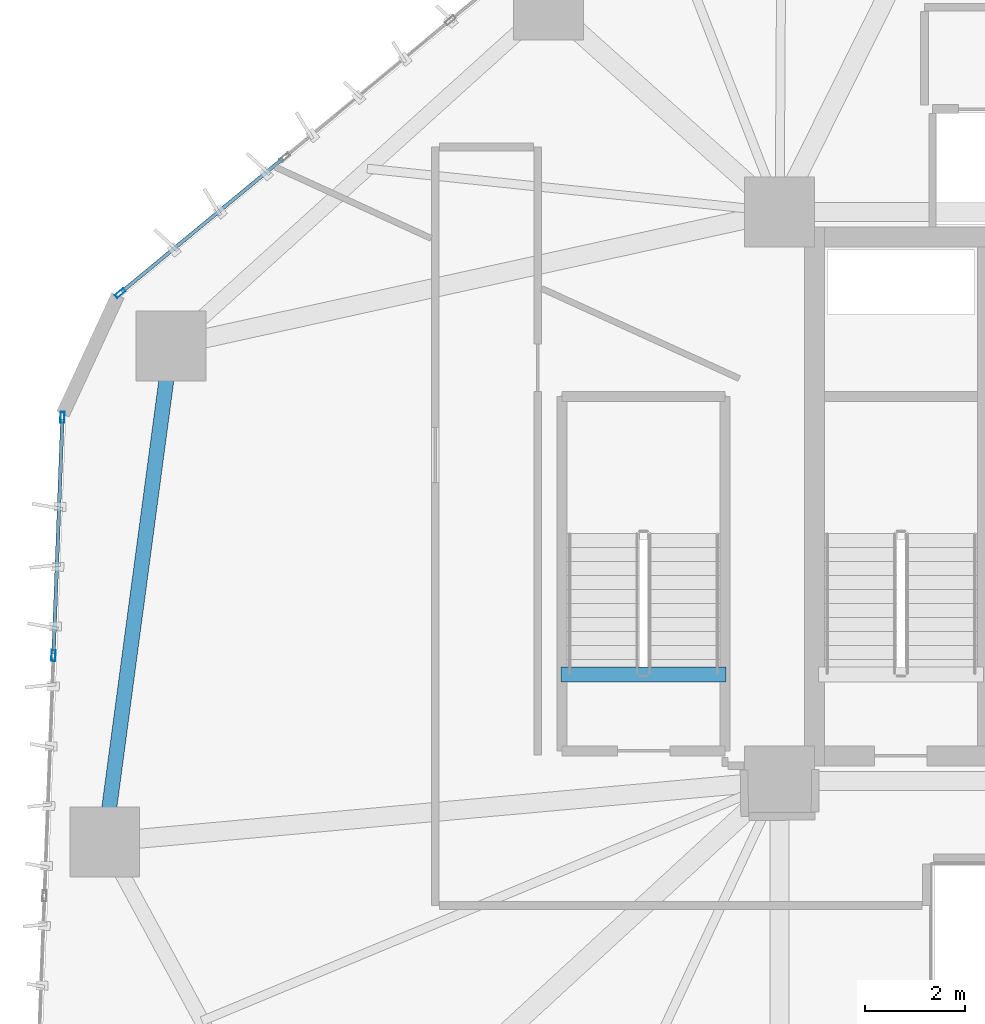
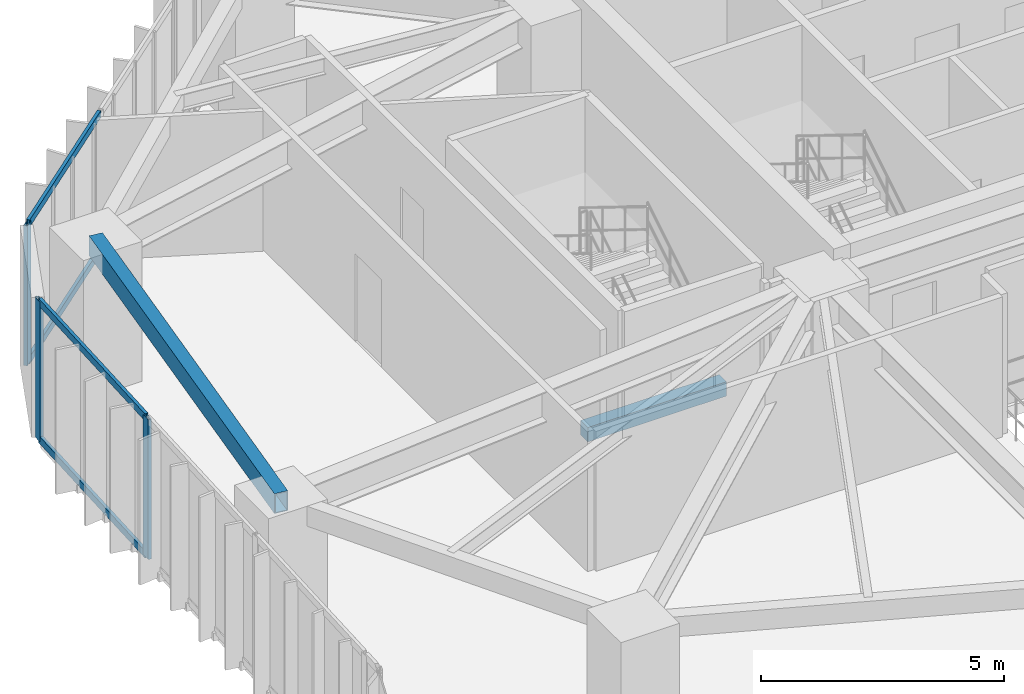
# One storey, part 7 of 23: 7 members, 2 beams, 2 elements without a shape of their own.
"""IFC4 building model written with IfcOpenShell, lengths in metres."""

import ifcopenshell
import ifcopenshell.guid

model = None  # the IFC model being written
_history = None  # IfcOwnerHistory: only IFC2X3 demands one
_inside = {}  # id of a spatial element -> (the spatial element, [elements in it])
_under = {}  # id of a project, library or spatial element -> (it, [spatial elements below it])
_declared = {}  # id of a project -> (the project, [libraries it declares])
_typed = {}  # id of a type object -> (the type object, [elements of that type])
_made_of = {}  # id of a material, layer set ... -> (it, [elements and type objects made of it])


def new_model(schema):
    """Start an empty IFC model of exactly this schema.

    Asked for "IFC4X3", IfcOpenShell would pick the latest addendum, in which some entities
    have other attributes; the version numbers below select the first issue.
    IFC2X3 requires an IfcOwnerHistory on every rooted entity: one is made here for all.
    """
    global model, _history
    if schema == "IFC4X3":
        model = ifcopenshell.file(schema_version=(4, 3, 0, 0))
    else:
        model = ifcopenshell.file(schema=schema)
    _inside.clear()
    _under.clear()
    _declared.clear()
    _typed.clear()
    _made_of.clear()
    _history = None
    if model.schema == "IFC2X3":
        org = make("IfcOrganization", Name="unknown")
        user = make(
            "IfcPersonAndOrganization",
            ThePerson=make("IfcPerson", FamilyName="unknown"),
            TheOrganization=org,
        )
        app = make(
            "IfcApplication",
            ApplicationDeveloper=org,
            Version="unknown",
            ApplicationFullName="unknown",
            ApplicationIdentifier="unknown",
        )
        _history = make(
            "IfcOwnerHistory",
            OwningUser=user,
            OwningApplication=app,
            ChangeAction="ADDED",
            CreationDate=0,
        )
    return model


def make(cls, **values):
    """One entity of the class cls with the attributes given. An attribute that is None is left unset."""
    return model.create_entity(
        cls, **{name: value for name, value in values.items() if value is not None}
    )


def rooted(cls, **values):
    """An entity with a GlobalId (a new one), such as an element, a storey or a relation."""
    return make(cls, GlobalId=ifcopenshell.guid.new(), OwnerHistory=_history, **values)


def si_unit(unit_type, name, prefix=None):
    """IfcSIUnit, for example si_unit("LENGTHUNIT", "METRE", prefix="MILLI")."""
    return make("IfcSIUnit", UnitType=unit_type, Prefix=prefix, Name=name)


def assignment(units):
    """IfcUnitAssignment: the units of a project."""
    return None if units is None else make("IfcUnitAssignment", Units=units)


def point(xyz):
    """IfcCartesianPoint."""
    return None if xyz is None else make("IfcCartesianPoint", Coordinates=xyz)


def direction(xyz):
    """IfcDirection."""
    return None if xyz is None else make("IfcDirection", DirectionRatios=xyz)


def frame(location, z_axis=None, x_axis=None):
    """IfcAxis2Placement3D, a coordinate frame: its origin and axes. An axis left out is left unset."""
    return make(
        "IfcAxis2Placement3D",
        Location=point(location),
        Axis=direction(z_axis),
        RefDirection=direction(x_axis),
    )


def frame_2d(location, x_axis=None):
    """IfcAxis2Placement2D, a coordinate frame in the plane: its origin and x axis."""
    return make(
        "IfcAxis2Placement2D", Location=point(location), RefDirection=direction(x_axis)
    )


def origin():
    """The frame at (0, 0, 0) with its axes left unset."""
    return frame((0.0, 0.0, 0.0))


def origin_2d():
    """The frame at (0, 0) in the plane with its x axis left unset."""
    return frame_2d((0.0, 0.0))


def place(relative_to, where):
    """IfcLocalPlacement: puts the frame where relative to a parent placement (None: the world)."""
    return make(
        "IfcLocalPlacement", PlacementRelTo=relative_to, RelativePlacement=where
    )


def context(
    kind, dimensions, precision=None, world=None, true_north=None, identifier=None
):
    """IfcGeometricRepresentationContext, for example the 3D "Model" context."""
    return make(
        "IfcGeometricRepresentationContext",
        ContextIdentifier=identifier,
        ContextType=kind,
        CoordinateSpaceDimension=dimensions,
        Precision=precision,
        WorldCoordinateSystem=world,
        TrueNorth=true_north,
    )


def subcontext(parent, identifier, kind, view, scale=None):
    """IfcGeometricRepresentationSubContext, for example "Body" below "Model"."""
    return make(
        "IfcGeometricRepresentationSubContext",
        ContextIdentifier=identifier,
        ContextType=kind,
        ParentContext=parent,
        TargetScale=scale,
        TargetView=view,
    )


def project(units=None, contexts=None):
    """IfcProject with its units and contexts."""
    return rooted(
        "IfcProject",
        Name="project",
        RepresentationContexts=contexts,
        UnitsInContext=assignment(units),
    )


def spatial(cls, under=None, at=None, **own):
    """A site, building, storey or space (cls), placed at a placement, below another one or the project."""
    s = rooted(cls, ObjectPlacement=at, **own)
    if under is not None:
        _under.setdefault(under.id(), (under, []))[1].append(s)
    return s


def profile(cls, at=None, kind="AREA", **sizes):
    """A parametric profile (cls). Its sizes go by their IFC names, for example OverallWidth=200.0."""
    return make(cls, ProfileType=kind, Position=at, **sizes)


def rectangle(**sizes):
    """IfcRectangleProfileDef."""
    return profile("IfcRectangleProfileDef", **sizes)


def hollow_rectangle(**sizes):
    """IfcRectangleHollowProfileDef."""
    return profile("IfcRectangleHollowProfileDef", **sizes)


def extrude(swept, where, along, depth):
    """IfcExtrudedAreaSolid: the profile swept, set in the frame where, extruded along a direction by depth."""
    return make(
        "IfcExtrudedAreaSolid",
        SweptArea=swept,
        Position=where,
        ExtrudedDirection=direction(along),
        Depth=depth,
    )


def shape(context_of_items, identifier, shape_type, items):
    """IfcShapeRepresentation: the items that make up one representation, for example the "Body"."""
    return make(
        "IfcShapeRepresentation",
        ContextOfItems=context_of_items,
        RepresentationIdentifier=identifier,
        RepresentationType=shape_type,
        Items=items,
    )


def source(mapping_origin, context_of_items, identifier, shape_type, items):
    """IfcRepresentationMap: a shape defined once, which mapped items show again and again."""
    return make(
        "IfcRepresentationMap",
        MappingOrigin=mapping_origin,
        MappedRepresentation=shape(context_of_items, identifier, shape_type, items),
    )


def transform(
    local_origin,
    x_axis=None,
    y_axis=None,
    z_axis=None,
    scale=None,
    scale2=None,
    scale3=None,
    uniform=True,
):
    """IfcCartesianTransformationOperator3D, or its non-uniform kind. x_axis, y_axis, z_axis: its Axis1, 2, 3."""
    if uniform:
        return make(
            "IfcCartesianTransformationOperator3D",
            Axis1=direction(x_axis),
            Axis2=direction(y_axis),
            LocalOrigin=point(local_origin),
            Scale=scale,
            Axis3=direction(z_axis),
        )
    return make(
        "IfcCartesianTransformationOperator3DnonUniform",
        Axis1=direction(x_axis),
        Axis2=direction(y_axis),
        LocalOrigin=point(local_origin),
        Scale=scale,
        Axis3=direction(z_axis),
        Scale2=scale2,
        Scale3=scale3,
    )


def mapped(mapping_source, mapping_target):
    """IfcMappedItem: shows the shape of a source again, moved by a transform."""
    return make(
        "IfcMappedItem", MappingSource=mapping_source, MappingTarget=mapping_target
    )


def material(Name=None, Category=None):
    """IfcMaterial."""
    return make("IfcMaterial", Name=Name, Category=Category)


def layer(
    of_material, thickness, ventilated=None, Name=None, Category=None, Priority=None
):
    """IfcMaterialLayer: one layer of a wall or slab, of a material (None: an air gap)."""
    return make(
        "IfcMaterialLayer",
        Material=of_material,
        LayerThickness=thickness,
        IsVentilated=ventilated,
        Name=Name,
        Category=Category,
        Priority=Priority,
    )


def layer_set(layers, Name=None):
    """IfcMaterialLayerSet."""
    return make("IfcMaterialLayerSet", MaterialLayers=layers, LayerSetName=Name)


def material_profile(
    of_material, cross_section, Name=None, Category=None, Priority=None
):
    """IfcMaterialProfile: a cross section and its material."""
    return make(
        "IfcMaterialProfile",
        Name=Name,
        Material=of_material,
        Profile=cross_section,
        Priority=Priority,
        Category=Category,
    )


def profile_set(profiles, Name=None, composite=None):
    """IfcMaterialProfileSet."""
    return make(
        "IfcMaterialProfileSet",
        Name=Name,
        MaterialProfiles=profiles,
        CompositeProfile=composite,
    )


def made_of(thing, what):
    """Note that an element or type object is made of a material, layer set ...; save() writes the relation."""
    if what is not None:
        _made_of.setdefault(what.id(), (what, []))[1].append(thing)
    return thing


def type_object(cls, material=None, **own):
    """A type object (cls), such as IfcWallType, which elements share."""
    return made_of(rooted(cls, **own), material)


def type_shapes(of_type, sources):
    """Give a type object the sources (RepresentationMaps) that its elements show as mapped items."""
    of_type.RepresentationMaps = sources


def element(
    cls,
    number,
    at=None,
    inside=None,
    cuts=None,
    type_object=None,
    material=None,
    context=None,
    identifier="Body",
    shape_type=None,
    held_by="IfcProductDefinitionShape",
    body=None,
    shapes=None,
    **own,
):
    """One element of the class cls, such as IfcWall. Its Tag is "e" and its number.

    at: its placement. inside: the storey or other place that contains it. cuts: it is an
    opening in that element (IfcRelVoidsElement). A single representation is given by context,
    identifier, shape_type and body (its items); several are given by shapes. held_by: the class
    of the entity that holds the representations. save() writes the other relations.
    """
    e = rooted(cls, Tag="e%d" % number, ObjectPlacement=at, **own)
    if body is not None:
        shapes = [shape(context, identifier, shape_type, body)]
    if shapes is not None:
        e.Representation = make(held_by, Representations=shapes)
    if inside is not None:
        _inside.setdefault(inside.id(), (inside, []))[1].append(e)
    if cuts is not None:
        rooted(
            "IfcRelVoidsElement", RelatingBuildingElement=cuts, RelatedOpeningElement=e
        )
    if type_object is not None:
        _typed.setdefault(type_object.id(), (type_object, []))[1].append(e)
    return made_of(e, material)


def aggregate(whole, parts):
    """IfcRelAggregates: a whole, such as a stair, and the parts it consists of."""
    return rooted("IfcRelAggregates", RelatingObject=whole, RelatedObjects=parts)


def save(model, path):
    """Write the relations noted so far, then the file.

    IfcRelAggregates (storeys below a building ...), IfcRelContainedInSpatialStructure (elements
    in a storey), IfcRelDefinesByType, IfcRelAssociatesMaterial and IfcRelDeclares: one each for
    every whole, place, type object, material and project.
    """
    for whole, parts in _under.values():
        aggregate(whole, parts)
    for where, things in _inside.values():
        rooted(
            "IfcRelContainedInSpatialStructure",
            RelatedElements=things,
            RelatingStructure=where,
        )
    for kind, things in _typed.values():
        rooted("IfcRelDefinesByType", RelatedObjects=things, RelatingType=kind)
    for what, things in _made_of.values():
        rooted("IfcRelAssociatesMaterial", RelatedObjects=things, RelatingMaterial=what)
    for by, libraries in _declared.values():
        rooted("IfcRelDeclares", RelatingContext=by, RelatedDefinitions=libraries)
    model.write(path)


model = new_model("IFC4")

# Units and contexts
model_context = context("Model", 3, precision=1e-05, world=origin(), true_north=direction((0.0, 1.0)))
body_context = subcontext(model_context, "Body", "Model", "MODEL_VIEW")
ifc_project = project(units=[si_unit("LENGTHUNIT", "METRE"), si_unit("AREAUNIT", "SQUARE_METRE"), si_unit("VOLUMEUNIT", "CUBIC_METRE"), si_unit("PLANEANGLEUNIT", "RADIAN"), si_unit("MASSUNIT", "GRAM", prefix="KILO")], contexts=[model_context])

# Site, building, storey
site_placement = place(None, origin())
site = spatial("IfcSite", under=ifc_project, at=site_placement, CompositionType="ELEMENT")
building_placement = place(site_placement, origin())
building = spatial("IfcBuilding", under=site, at=building_placement, Name="Talar Marvaseh", CompositionType="ELEMENT")
storey_placement = place(building_placement, frame((0.0, 0.0, 77.199951171875)))
storey = spatial("IfcBuildingStorey", under=building, at=storey_placement, Name="L19", CompositionType="ELEMENT", Elevation=77.199951171875)

# Beams
ifc_material_1 = material(Name="Concrete C40/50", Category="concrete")
ifc_material_profile_1 = material_profile(ifc_material_1, rectangle(XDim=0.300048828125, YDim=0.360107421875, at=origin_2d()), Name="RC300x360")
ifc_profile_set_1 = profile_set([ifc_material_profile_1], Name="Concrete C40/50")
beam_type_1 = type_object("IfcBeamType", Name="Concrete Stair Landing Trimmer Beam RC300x360", PredefinedType="SPANDREL", material=ifc_profile_set_1)
beam_1_placement = place(storey_placement, frame((17.6201171875, 27.6298828125, -0.179931640625), z_axis=(-1.0, 0.0, 0.0), x_axis=(0.0, -1.0, 0.0)))
element("IfcBeam", 1, at=beam_1_placement, inside=storey, type_object=beam_type_1, Name="L19 ST-3 Stair Nosing Trimmer Beam", PredefinedType="SPANDREL", context=body_context, shape_type="SweptSolid", body=[
    extrude(rectangle(XDim=0.300048828125, YDim=0.360107421875, at=origin_2d()), origin(), (0.0, 0.0, 1.0), 3.300048828125),
])
ifc_material_2 = material(Name="Steel S355", Category="steel")
ifc_material_profile_2 = material_profile(ifc_material_2, hollow_rectangle(XDim=0.300048828125, YDim=0.5, WallThickness=0.02001953125, at=origin_2d()), Name="RHS500x300x20")
ifc_profile_set_2 = profile_set([ifc_material_profile_2], Name="Steel S355")
beam_type_2 = type_object("IfcBeamType", Name="Zone 1 Perimeter Spandrel Beam RHS500x300x20", PredefinedType="SPANDREL", material=ifc_profile_set_2)
beam_2_placement = place(storey_placement, frame((5.175048828125, 24.27587890625, 3.27001953125), z_axis=(0.132340758564, 0.991204279461, 0.0), x_axis=(-0.991204279461, 0.132340758564, 0.0)))
element("IfcBeam", 2, at=beam_2_placement, inside=storey, type_object=beam_type_2, Name="L19 Zone 1 Perimeter Spandrel Beam RHS500x300x20", PredefinedType="SPANDREL", context=body_context, shape_type="SweptSolid", body=[
    extrude(hollow_rectangle(XDim=0.300048828125, YDim=0.5, WallThickness=0.02001953125, at=origin_2d()), origin(), (0.0, 0.0, 1.0), 10.0263671875),
])

# Curtain wall, members
ifc_material_3 = material(Name="Architectural Aluminium", Category="aluminium")
ifc_layer = layer(ifc_material_3, 0.219970703125)
ifc_layer_set = layer_set([ifc_layer], Name="Architectural Aluminium")
curtain_wall_type = type_object("IfcCurtainWallType", Name="Unitised Low-E Museum Curtain Wall Z1", PredefinedType="NOTDEFINED", material=ifc_layer_set)
curtain_wall_1_placement = place(storey_placement, origin())
curtain_wall_1 = element("IfcCurtainWall", 3, at=curtain_wall_1_placement, inside=storey, type_object=curtain_wall_type, Name="L19 Unitised Low-E Museum Curtain Wall Z1", PredefinedType="NOTDEFINED")
ifc_material_profile_3 = material_profile(ifc_material_3, hollow_rectangle(XDim=0.080078125, YDim=0.219970703125, WallThickness=0.0048828125, at=origin_2d()), Name="RHS220x80x5")
ifc_profile_set_3 = profile_set([ifc_material_profile_3], Name="Architectural Aluminium")
member_type_1 = type_object("IfcMemberType", Name="Unitised Curtain Wall Heavy Mullion RHS220x80x5", PredefinedType="MULLION", material=ifc_profile_set_3)
shared_shape_1 = source(origin(), body_context, "Body", "SweptSolid", [
    extrude(hollow_rectangle(XDim=0.080078125, YDim=0.219970703125, WallThickness=0.0048828125, at=origin_2d()), origin(), (0.0, 0.0, 1.0), 3.52001953125),
])
type_shapes(member_type_1, [shared_shape_1])
member_1_placement = place(storey_placement, frame((4.149169921875, 28.009033203125, 0.0), z_axis=(0.0, 0.0, 1.0), x_axis=(-0.99929348911, 0.037583541904, 0.0)))
member_1 = element("IfcMember", 4, at=member_1_placement, type_object=member_type_1, Name="CW-Z1 mullion 4", PredefinedType="MULLION", context=body_context, shape_type="MappedRepresentation", body=[
    mapped(shared_shape_1, transform((0.0, 0.0, 0.0), x_axis=(1.0, 0.0, 0.0), y_axis=(0.0, 1.0, 0.0), z_axis=(0.0, 0.0, 1.0), scale=1.0)),
])
member_2_placement = place(storey_placement, frame((4.32861328125, 32.7822265625, 0.0), z_axis=(0.0, 0.0, 1.0), x_axis=(-0.99929348911, 0.037583541904, 0.0)))
member_2 = element("IfcMember", 5, at=member_2_placement, type_object=member_type_1, Name="CW-Z1 mullion 5", PredefinedType="MULLION", context=body_context, shape_type="MappedRepresentation", body=[
    mapped(shared_shape_1, transform((0.0, 0.0, 0.0), x_axis=(1.0, 0.0, 0.0), y_axis=(0.0, 1.0, 0.0), z_axis=(0.0, 0.0, 1.0), scale=1.0)),
])

# Curtain wall, member
curtain_wall_2_placement = place(storey_placement, origin())
curtain_wall_2 = element("IfcCurtainWall", 6, at=curtain_wall_2_placement, inside=storey, type_object=curtain_wall_type, Name="L19 Unitised Low-E Museum Curtain Wall Z1", PredefinedType="NOTDEFINED")
member_3_placement = place(storey_placement, frame((5.486083984375, 35.271728515625, 0.0), z_axis=(0.0, 0.0, 1.0), x_axis=(-0.636994414935, 0.77086841636, 0.0)))
member_3 = element("IfcMember", 7, at=member_3_placement, type_object=member_type_1, Name="CW-Z1 mullion 1", PredefinedType="MULLION", context=body_context, shape_type="MappedRepresentation", body=[
    mapped(shared_shape_1, transform((0.0, 0.0, 0.0), x_axis=(1.0, 0.0, 0.0), y_axis=(0.0, 1.0, 0.0), z_axis=(0.0, 0.0, 1.0), scale=1.0)),
])

# Member
ifc_material_profile_4 = material_profile(ifc_material_3, hollow_rectangle(XDim=0.074951171875, YDim=0.179931640625, WallThickness=0.0048828125, at=origin_2d()), Name="RHS180x75x5")
ifc_profile_set_4 = profile_set([ifc_material_profile_4], Name="Architectural Aluminium")
member_type_2 = type_object("IfcMemberType", Name="Unitised Curtain Wall Transom RHS180x75x5", PredefinedType="USERDEFINED", material=ifc_profile_set_4)
shared_shape_2 = source(origin(), body_context, "Body", "SweptSolid", [
    extrude(hollow_rectangle(XDim=0.074951171875, YDim=0.179931640625, WallThickness=0.0048828125, at=origin_2d()), origin(), (0.0, 0.0, 1.0), 4.69677734375),
])
member_4_placement = place(storey_placement, frame((4.150634765625, 28.049072265625, 0.03759765625), z_axis=(0.037582668351, 0.999293521964, 0.0), x_axis=(-0.999293521964, 0.037582668351, 0.0)))
member_4 = element("IfcMember", 8, at=member_4_placement, type_object=member_type_2, Name="CW-Z1 transom 4.1", ObjectType="TRANSOM", PredefinedType="USERDEFINED", context=body_context, shape_type="MappedRepresentation", body=[
    mapped(shared_shape_2, transform((0.0, 0.0, 0.0), x_axis=(1.0, 0.0, 0.0), y_axis=(0.0, 1.0, 0.0), z_axis=(0.0, 0.0, 1.0), scale=1.0)),
])

member_5_placement = place(storey_placement, frame((4.150634765625, 28.049072265625, 3.482666015625), z_axis=(0.037582668351, 0.999293521964, 0.0), x_axis=(-0.999293521964, 0.037582668351, 0.0)))
member_5 = element("IfcMember", 9, at=member_5_placement, type_object=member_type_2, Name="CW-Z1 transom 4.2", ObjectType="TRANSOM", PredefinedType="USERDEFINED", context=body_context, shape_type="MappedRepresentation", body=[
    mapped(shared_shape_2, transform((0.0, 0.0, 0.0), x_axis=(1.0, 0.0, 0.0), y_axis=(0.0, 1.0, 0.0), z_axis=(0.0, 0.0, 1.0), scale=1.0)),
])

aggregate(curtain_wall_1, [member_1, member_2, member_4, member_5])

shared_shape_3 = source(origin(), body_context, "Body", "SweptSolid", [
    extrude(hollow_rectangle(XDim=0.074951171875, YDim=0.179931640625, WallThickness=0.0048828125, at=origin_2d()), origin(), (0.0, 0.0, 1.0), 4.191650390625),
])
type_shapes(member_type_2, [shared_shape_2, shared_shape_3])
member_6_placement = place(storey_placement, frame((5.51708984375, 35.297119140625, 0.03759765625), z_axis=(0.770854808023, 0.637010882912, 0.0), x_axis=(-0.637010882912, 0.770854808023, 0.0)))
member_6 = element("IfcMember", 10, at=member_6_placement, type_object=member_type_2, Name="CW-Z1 transom 1.1", ObjectType="TRANSOM", PredefinedType="USERDEFINED", context=body_context, shape_type="MappedRepresentation", body=[
    mapped(shared_shape_3, transform((0.0, 0.0, 0.0), x_axis=(1.0, 0.0, 0.0), y_axis=(0.0, 1.0, 0.0), z_axis=(0.0, 0.0, 1.0), scale=1.0)),
])

member_7_placement = place(storey_placement, frame((5.51708984375, 35.297119140625, 3.482666015625), z_axis=(0.770854808023, 0.637010882912, 0.0), x_axis=(-0.637010882912, 0.770854808023, 0.0)))
member_7 = element("IfcMember", 11, at=member_7_placement, type_object=member_type_2, Name="CW-Z1 transom 1.2", ObjectType="TRANSOM", PredefinedType="USERDEFINED", context=body_context, shape_type="MappedRepresentation", body=[
    mapped(shared_shape_3, transform((0.0, 0.0, 0.0), x_axis=(1.0, 0.0, 0.0), y_axis=(0.0, 1.0, 0.0), z_axis=(0.0, 0.0, 1.0), scale=1.0)),
])

aggregate(curtain_wall_2, [member_3, member_6, member_7])

save(model, "model.ifc")
